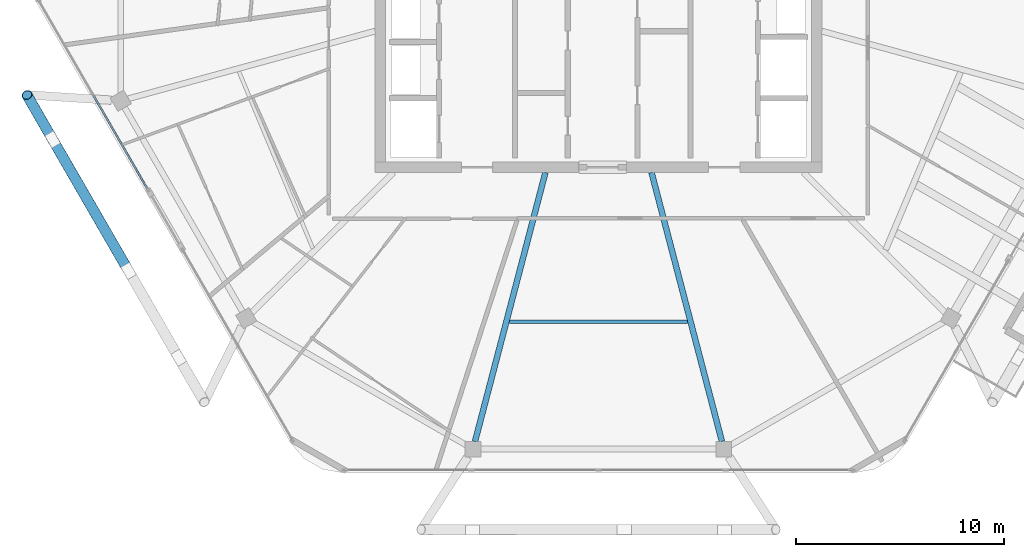
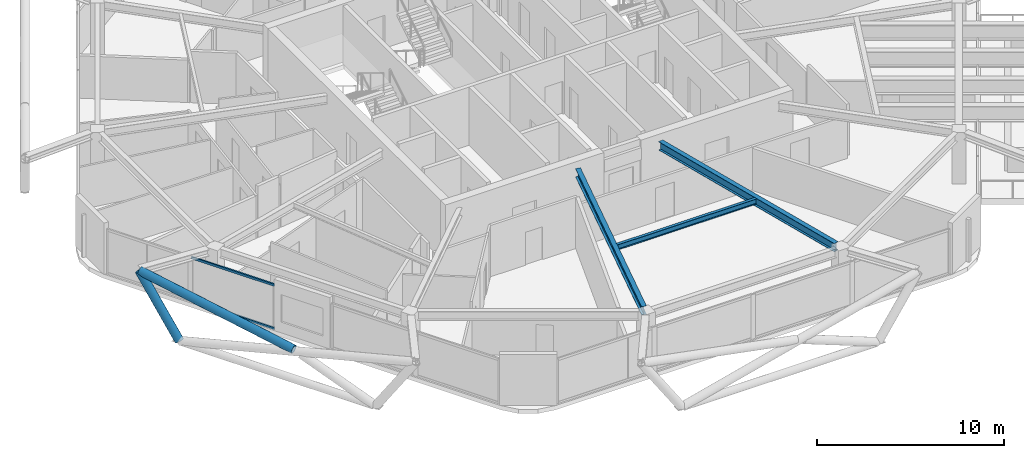
# One storey, part 5 of 23: 4 members, 3 beams, 1 element without a shape of its own.
"""IFC4 building model written with IfcOpenShell, lengths in metres."""

from ifc_helpers import new_model, si_unit, direction, frame, origin, origin_2d, place, context, subcontext, project, spatial, hollow_rectangle, hollow_circle, i_section, extrude, material, material_profile, profile_set, type_object, element, aggregate, save


model = new_model("IFC4")

# Units and contexts
model_context = context("Model", 3, precision=1e-05, world=origin(), true_north=direction((0.0, 1.0)))
body_context = subcontext(model_context, "Body", "Model", "MODEL_VIEW")
ifc_project = project(units=[si_unit("LENGTHUNIT", "METRE"), si_unit("AREAUNIT", "SQUARE_METRE"), si_unit("VOLUMEUNIT", "CUBIC_METRE"), si_unit("PLANEANGLEUNIT", "RADIAN"), si_unit("MASSUNIT", "GRAM", prefix="KILO")], contexts=[model_context])

# Site, building, storey
site_placement = place(None, origin())
site = spatial("IfcSite", under=ifc_project, at=site_placement, CompositionType="ELEMENT")
building_placement = place(site_placement, origin())
building = spatial("IfcBuilding", under=site, at=building_placement, Name="Zuhravey Tower", CompositionType="ELEMENT")
storey_placement = place(building_placement, frame((0.0, 0.0, 353.800048828125)))
storey = spatial("IfcBuildingStorey", under=building, at=storey_placement, Name="L90", CompositionType="ELEMENT", Elevation=353.800048828125)

# Curtain wall, members
ifc_material_1 = material(Name="Thermally broken anodised aluminium", Category="aluminium")
curtain_wall_type = type_object("IfcCurtainWallType", Name="Zone 3-4 High-Rise Curtain Wall CW4", PredefinedType="NOTDEFINED", material=ifc_material_1)
curtain_wall_placement = place(storey_placement, origin())
curtain_wall = element("IfcCurtainWall", 1, at=curtain_wall_placement, inside=storey, type_object=curtain_wall_type, Name="L90 CW4 CW-L90-F4-2", PredefinedType="NOTDEFINED")
ifc_material_2 = material(Name="Anodised aluminium", Category="aluminium")
ifc_material_profile_1 = material_profile(ifc_material_2, hollow_rectangle(XDim=0.090087890625, YDim=0.14990234375, WallThickness=0.0048828125, at=origin_2d()), Name="ALU-RHS-90x150x5")
ifc_profile_set_1 = profile_set([ifc_material_profile_1], Name="Anodised aluminium")
member_type_1 = type_object("IfcMemberType", Name="Curtain-Wall Transom 90x150", PredefinedType="USERDEFINED", material=ifc_profile_set_1)
member_1_placement = place(storey_placement, frame((14.268798828125, 21.491455078125, 0.044921875), z_axis=(-0.499990707328, 0.866030768845, 0.0), x_axis=(-0.866030768845, -0.499990707328, 0.0)))
member_1 = element("IfcMember", 2, at=member_1_placement, type_object=member_type_1, Name="CW4 transom 1.1", ObjectType="TRANSOM", PredefinedType="USERDEFINED", context=body_context, shape_type="SweptSolid", body=[
    extrude(hollow_rectangle(XDim=0.090087890625, YDim=0.14990234375, WallThickness=0.0048828125, at=origin_2d()), origin(), (0.0, 0.0, 1.0), 5.14697265625),
])
member_2_placement = place(storey_placement, frame((14.268798828125, 21.491455078125, 2.876953125), z_axis=(-0.499990707328, 0.866030768845, 0.0), x_axis=(-0.866030768845, -0.499990707328, 0.0)))
member_2 = element("IfcMember", 3, at=member_2_placement, type_object=member_type_1, Name="CW4 transom 1.2", ObjectType="TRANSOM", PredefinedType="USERDEFINED", context=body_context, shape_type="SweptSolid", body=[
    extrude(hollow_rectangle(XDim=0.090087890625, YDim=0.14990234375, WallThickness=0.0048828125, at=origin_2d()), origin(), (0.0, 0.0, 1.0), 5.14697265625),
])
aggregate(curtain_wall, [member_1, member_2])

# Members
ifc_material_3 = material(Name="Steel SM355", Category="steel")
ifc_material_profile_2 = material_profile(ifc_material_3, hollow_circle(Radius=0.25390625, WallThickness=0.02490234375, at=origin_2d()), Name="CHS-508.0x25")
ifc_profile_set_2 = profile_set([ifc_material_profile_2], Name="Steel SM355")
member_type_2 = type_object("IfcMemberType", Name="Exoskeleton Zone 4 Diagrid CHS508x25", PredefinedType="BRACE", material=ifc_profile_set_2)
member_3_placement = place(storey_placement, frame((9.72216796875, 23.8466796875, -0.5830078125), z_axis=(-0.276758139819, 0.479329722715, 0.832855298936), x_axis=(-0.866012107475, -0.500023029176, 0.0)))
element("IfcMember", 4, at=member_3_placement, inside=storey, type_object=member_type_2, Name="L90 Face 4 Diagrid Brace 1", PredefinedType="BRACE", context=body_context, shape_type="SweptSolid", body=[
    extrude(hollow_circle(Radius=0.25390625, WallThickness=0.02490234375, at=origin_2d()), origin(), (0.0, 0.0, 1.0), 4.446044921875),
])
member_4_placement = place(storey_placement, frame((13.26171875, 17.7158203125, 1.314208984375), z_axis=(-0.491151454334, 0.850684519143, 0.187366213058), x_axis=(-0.866021648766, -0.500006503827, 0.0)))
element("IfcMember", 5, at=member_4_placement, inside=storey, type_object=member_type_2, Name="L90 Face 4 Split Diagrid Brace 3B", PredefinedType="BRACE", context=body_context, shape_type="SweptSolid", body=[
    extrude(hollow_circle(Radius=0.25390625, WallThickness=0.02490234375, at=origin_2d()), origin(), (0.0, 0.0, 1.0), 9.669677734375),
])

# Beams
ifc_material_profile_3 = material_profile(ifc_material_3, i_section(OverallWidth=0.280029296875, OverallDepth=0.550048828125, WebThickness=0.010986328125, FlangeThickness=0.01806640625, at=origin_2d()), Name="H-550x280x11x18")
ifc_profile_set_3 = profile_set([ifc_material_profile_3], Name="Steel SM355")
beam_type_1 = type_object("IfcBeamType", Name="Radial Primary Girder H550x280", PredefinedType="BEAM", material=ifc_profile_set_3)
for number, where, z_axis, x_axis, name in (
    (6, (33.446533203125, 22.2470703125, 3.074951171875), (-0.253282562653, -0.967392342049, 0.0), (0.967392342049, -0.253282562653, 0.0), "L90 RG4 BM-L90-RAD-09"),
    (7, (38.553466796875, 22.2470703125, 3.074951171875), (0.253282562653, -0.967392342049, 0.0), (0.967392342049, 0.253282562653, 0.0), "L90 RG4 BM-L90-RAD-10"),
):
    element("IfcBeam", number, at=place(storey_placement, frame(where, z_axis=z_axis, x_axis=x_axis)), inside=storey, type_object=beam_type_1, Name=name, PredefinedType="BEAM", context=body_context, shape_type="SweptSolid", body=[
        extrude(i_section(OverallWidth=0.280029296875, OverallDepth=0.550048828125, WebThickness=0.010986328125, FlangeThickness=0.01806640625, at=origin_2d()), origin(), (0.0, 0.0, 1.0), 13.3818359375),
    ])
ifc_material_profile_4 = material_profile(ifc_material_3, i_section(OverallWidth=0.175048828125, OverallDepth=0.35009765625, WebThickness=0.007080078125, FlangeThickness=0.010986328125, at=origin_2d()), Name="H-350x175x7x11")
ifc_profile_set_4 = profile_set([ifc_material_profile_4], Name="Steel SM355")
beam_type_2 = type_object("IfcBeamType", Name="Secondary Floor Joist H350x175", PredefinedType="JOIST", material=ifc_profile_set_4)
beam_placement = place(storey_placement, frame((31.70849609375, 15.05908203125, 3.175048828125), z_axis=(1.0, 0.0, 0.0), x_axis=(0.0, 1.0, 0.0)))
element("IfcBeam", 8, at=beam_placement, inside=storey, type_object=beam_type_2, Name="L90 SJ3 BM-L90-SJ-09-1", PredefinedType="JOIST", context=body_context, shape_type="SweptSolid", body=[
    extrude(i_section(OverallWidth=0.175048828125, OverallDepth=0.35009765625, WebThickness=0.007080078125, FlangeThickness=0.010986328125, at=origin_2d()), origin(), (0.0, 0.0, 1.0), 8.5830078125),
])

save(model, "model.ifc")
